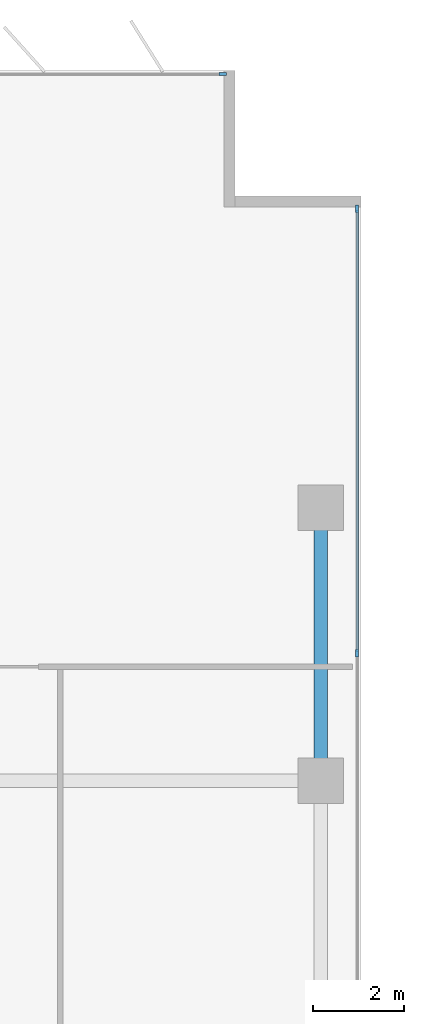
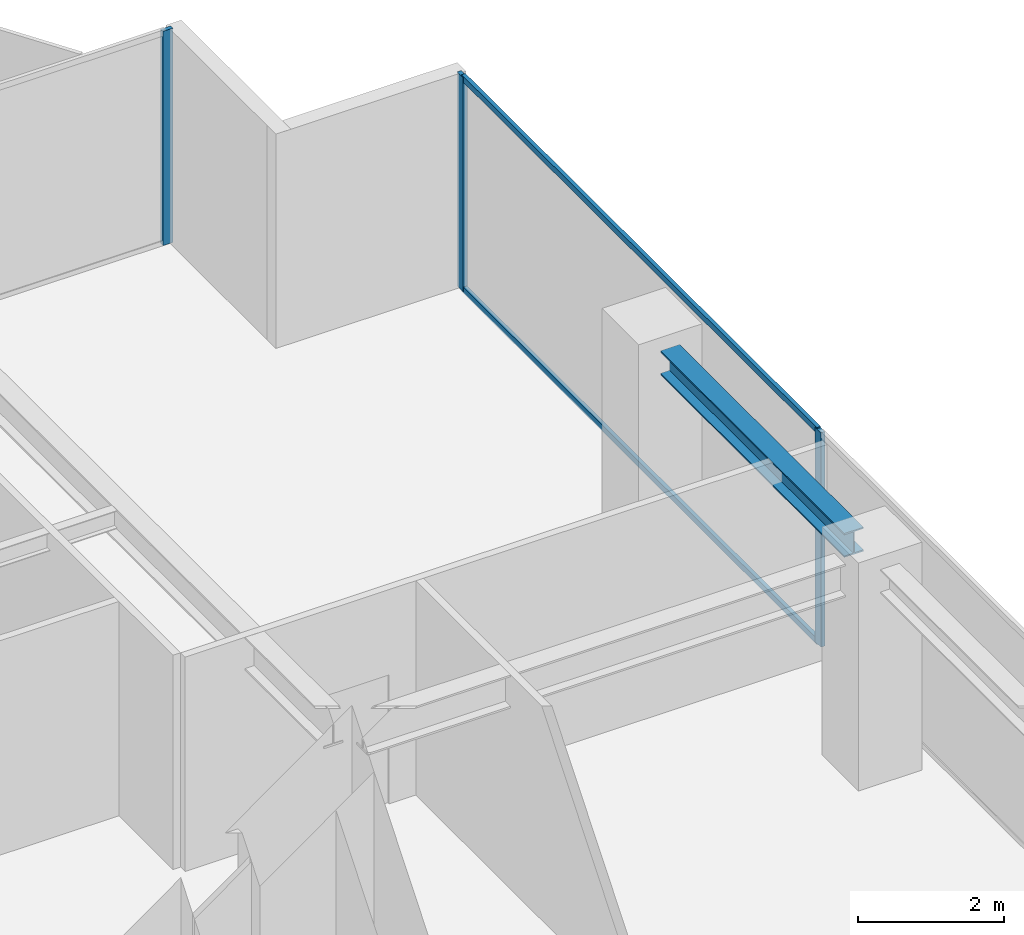
# One storey, part 13 of 22: 5 members, 1 beam, 2 elements without a shape of their own.
"""IFC4 building model written with IfcOpenShell, lengths in metres."""

from ifc_helpers import new_model, si_unit, direction, frame, origin, origin_2d, place, context, subcontext, project, spatial, rectangle, i_section, extrude, material, layer, layer_set, material_profile, profile_set, type_object, element, aggregate, save


model = new_model("IFC4")

# Units and contexts
model_context = context("Model", 3, precision=1e-05, world=origin(), true_north=direction((0.0, 1.0)))
body_context = subcontext(model_context, "Body", "Model", "MODEL_VIEW")
ifc_project = project(units=[si_unit("LENGTHUNIT", "METRE"), si_unit("AREAUNIT", "SQUARE_METRE"), si_unit("VOLUMEUNIT", "CUBIC_METRE"), si_unit("PLANEANGLEUNIT", "RADIAN"), si_unit("MASSUNIT", "GRAM", prefix="KILO")], contexts=[model_context])

# Site, building, storey
site_placement = place(None, origin())
site = spatial("IfcSite", under=ifc_project, at=site_placement, CompositionType="ELEMENT")
building_placement = place(site_placement, origin())
building = spatial("IfcBuilding", under=site, at=building_placement, Name="Putna Gate Headquarters", CompositionType="ELEMENT")
storey_placement = place(building_placement, frame((0.0, 0.0, 174.60009765625)))
storey = spatial("IfcBuildingStorey", under=building, at=storey_placement, Name="L43", CompositionType="ELEMENT", Elevation=174.60009765625)

# Beam
ifc_material_1 = material(Name="Steel S355J2", Category="steel")
ifc_material_profile_1 = material_profile(ifc_material_1, i_section(OverallWidth=0.300048828125, OverallDepth=0.39990234375, WebThickness=0.013427734375, FlangeThickness=0.02392578125, at=origin_2d()), Name="Steel S355J2")
ifc_profile_set_1 = profile_set([ifc_material_profile_1], Name="Steel S355J2")
beam_type = type_object("IfcBeamType", Name="BM-SPAN-Z3-HEB400", PredefinedType="SPANDREL", material=ifc_profile_set_1)
beam_placement = place(storey_placement, frame((73.320068359375, 33.488037109375, 3.371826171875), z_axis=(0.0, 1.0, 0.0), x_axis=(-1.0, 0.0, 0.0)))
element("IfcBeam", 1, at=beam_placement, inside=storey, type_object=beam_type, Name="L43 E End Spandrel 3", PredefinedType="SPANDREL", context=body_context, shape_type="SweptSolid", body=[
    extrude(i_section(OverallWidth=0.300048828125, OverallDepth=0.39990234375, WebThickness=0.013427734375, FlangeThickness=0.02392578125, at=origin_2d()), origin(), (0.0, 0.0, 1.0), 5.02392578125),
])

# Curtain wall, member
ifc_material_2 = material(Name="Anodised bronze aluminium curtain wall", Category="aluminium")
ifc_layer = layer(ifc_material_2, 0.159912109375)
ifc_layer_set = layer_set([ifc_layer], Name="Anodised bronze aluminium curtain wall")
curtain_wall_type = type_object("IfcCurtainWallType", Name="CW-SYS-Z3", PredefinedType="USERDEFINED", material=ifc_layer_set)
curtain_wall_1_placement = place(storey_placement, origin())
curtain_wall_1 = element("IfcCurtainWall", 2, at=curtain_wall_1_placement, inside=storey, type_object=curtain_wall_type, Name="L43 North East Curtain Wall", ObjectType="STICK CURTAIN WALL", PredefinedType="USERDEFINED")
ifc_material_3 = material(Name="Anodised bronze aluminium EN AW-6060", Category="aluminium")
ifc_material_profile_2 = material_profile(ifc_material_3, rectangle(XDim=0.06494140625, YDim=0.159912109375, at=origin_2d()), Name="Anodised bronze aluminium EN AW-6060")
ifc_profile_set_2 = profile_set([ifc_material_profile_2], Name="Anodised bronze aluminium EN AW-6060")
member_type_1 = type_object("IfcMemberType", Name="MULL-CWM-3", PredefinedType="MULLION", material=ifc_profile_set_2)
member_1_placement = place(storey_placement, frame((71.16748046875, 48.52001953125, 0.0), z_axis=(0.0, 0.0, 1.0), x_axis=(0.0, 1.0, 0.0)))
member_1 = element("IfcMember", 3, at=member_1_placement, type_object=member_type_1, Name="CWS-3 mullion 3", PredefinedType="MULLION", context=body_context, shape_type="SweptSolid", body=[
    extrude(rectangle(XDim=0.06494140625, YDim=0.159912109375, at=origin_2d()), origin(), (0.0, 0.0, 1.0), 3.572021484375),
])
aggregate(curtain_wall_1, [member_1])

# Curtain wall, members
curtain_wall_2_placement = place(storey_placement, origin())
curtain_wall_2 = element("IfcCurtainWall", 4, at=curtain_wall_2_placement, inside=storey, type_object=curtain_wall_type, Name="L43 East Curtain Wall", ObjectType="STICK CURTAIN WALL", PredefinedType="USERDEFINED")
member_2_placement = place(storey_placement, frame((74.1201171875, 35.800048828125, 0.0), z_axis=(0.0, 0.0, 1.0), x_axis=(-1.0, 0.0, 0.0)))
member_2 = element("IfcMember", 5, at=member_2_placement, type_object=member_type_1, Name="CWS-3 mullion 4", PredefinedType="MULLION", context=body_context, shape_type="SweptSolid", body=[
    extrude(rectangle(XDim=0.06494140625, YDim=0.159912109375, at=origin_2d()), origin(), (0.0, 0.0, 1.0), 3.572021484375),
])
member_3_placement = place(storey_placement, frame((74.1201171875, 45.5673828125, 0.0), z_axis=(0.0, 0.0, 1.0), x_axis=(-1.0, 0.0, 0.0)))
member_3 = element("IfcMember", 6, at=member_3_placement, type_object=member_type_1, Name="CWS-3 mullion 5", PredefinedType="MULLION", context=body_context, shape_type="SweptSolid", body=[
    extrude(rectangle(XDim=0.06494140625, YDim=0.159912109375, at=origin_2d()), origin(), (0.0, 0.0, 1.0), 3.572021484375),
])
ifc_material_profile_3 = material_profile(ifc_material_3, rectangle(XDim=0.06005859375, YDim=0.10009765625, at=origin_2d()), Name="Anodised bronze aluminium EN AW-6060")
ifc_profile_set_3 = profile_set([ifc_material_profile_3], Name="Anodised bronze aluminium EN AW-6060")
member_type_2 = type_object("IfcMemberType", Name="TRAN-CWT-3", PredefinedType="USERDEFINED", material=ifc_profile_set_3)
member_4_placement = place(storey_placement, frame((74.1201171875, 35.83251953125, 0.02978515625), z_axis=(0.0, 1.0, 0.0), x_axis=(-1.0, 0.0, 0.0)))
member_4 = element("IfcMember", 7, at=member_4_placement, type_object=member_type_2, Name="CWS-3 transom 4.1", ObjectType="TRANSOM", PredefinedType="USERDEFINED", context=body_context, shape_type="SweptSolid", body=[
    extrude(rectangle(XDim=0.06005859375, YDim=0.10009765625, at=origin_2d()), origin(), (0.0, 0.0, 1.0), 9.702392578125),
])
member_5_placement = place(storey_placement, frame((74.1201171875, 35.83251953125, 3.5419921875), z_axis=(0.0, 1.0, 0.0), x_axis=(-1.0, 0.0, 0.0)))
member_5 = element("IfcMember", 8, at=member_5_placement, type_object=member_type_2, Name="CWS-3 transom 4.2", ObjectType="TRANSOM", PredefinedType="USERDEFINED", context=body_context, shape_type="SweptSolid", body=[
    extrude(rectangle(XDim=0.06005859375, YDim=0.10009765625, at=origin_2d()), origin(), (0.0, 0.0, 1.0), 9.702392578125),
])
aggregate(curtain_wall_2, [member_2, member_3, member_4, member_5])

save(model, "model.ifc")
